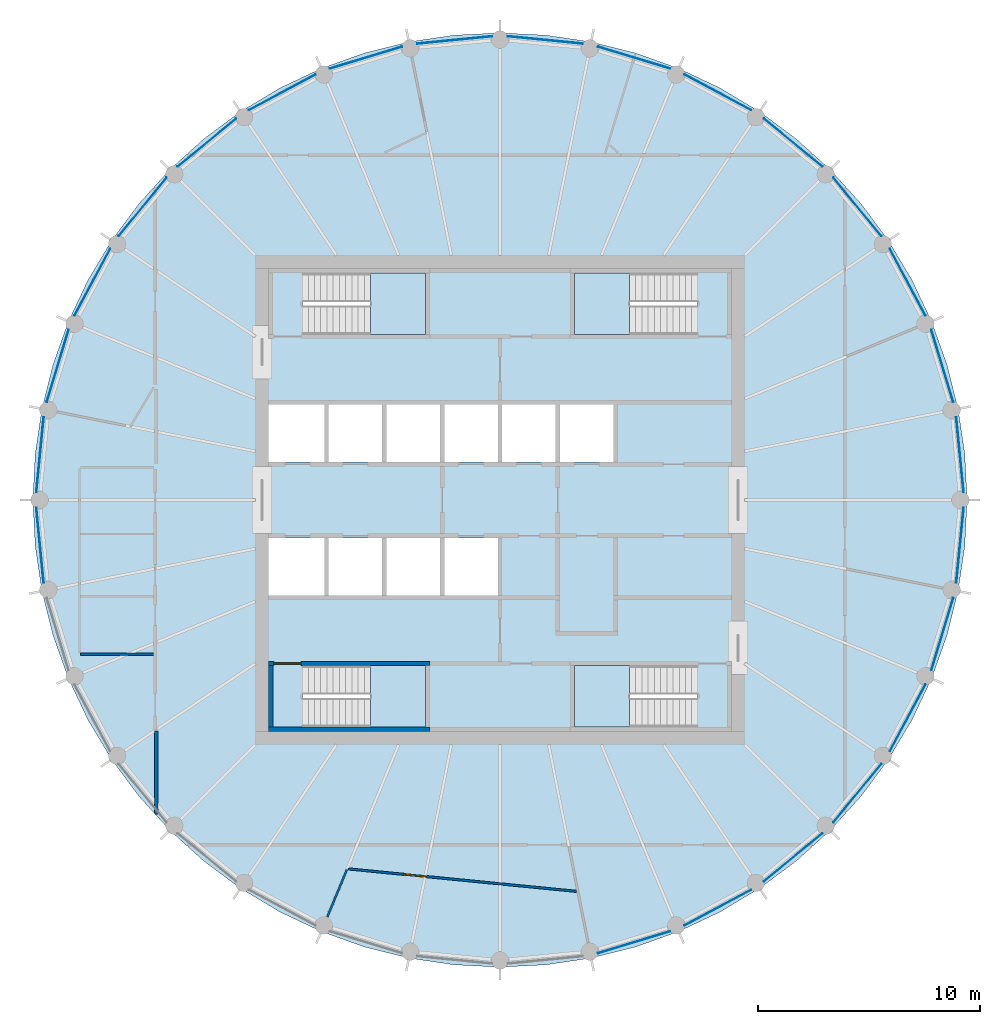
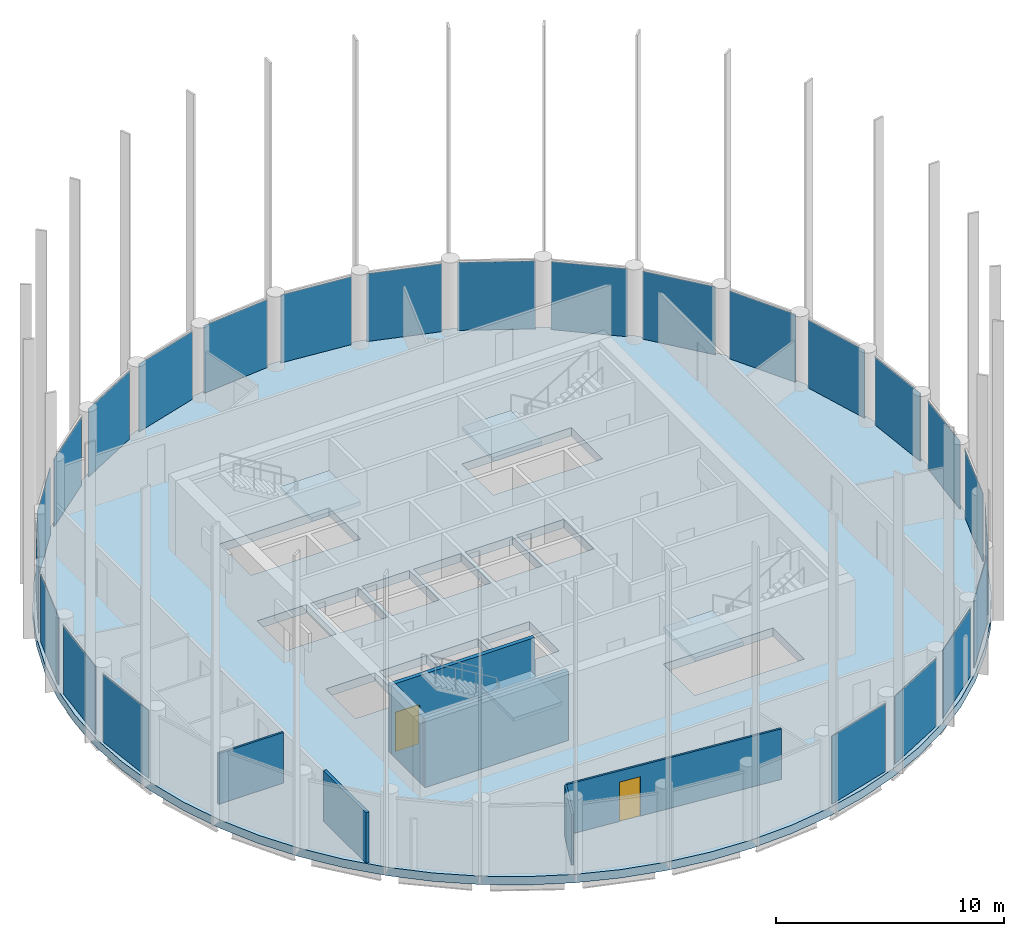
# One storey, part 3 of 7: 24 plates, 7 walls, 5 slabs, 2 doors, 2 openings, 28 elements without a shape of their own.
"""IFC4 building model written with IfcOpenShell, lengths in metres."""

import ifcopenshell
import ifcopenshell.guid

model = None  # the IFC model being written
_history = None  # IfcOwnerHistory: only IFC2X3 demands one
_inside = {}  # id of a spatial element -> (the spatial element, [elements in it])
_under = {}  # id of a project, library or spatial element -> (it, [spatial elements below it])
_declared = {}  # id of a project -> (the project, [libraries it declares])
_typed = {}  # id of a type object -> (the type object, [elements of that type])
_made_of = {}  # id of a material, layer set ... -> (it, [elements and type objects made of it])


def new_model(schema):
    """Start an empty IFC model of exactly this schema.

    Asked for "IFC4X3", IfcOpenShell would pick the latest addendum, in which some entities
    have other attributes; the version numbers below select the first issue.
    IFC2X3 requires an IfcOwnerHistory on every rooted entity: one is made here for all.
    """
    global model, _history
    if schema == "IFC4X3":
        model = ifcopenshell.file(schema_version=(4, 3, 0, 0))
    else:
        model = ifcopenshell.file(schema=schema)
    _inside.clear()
    _under.clear()
    _declared.clear()
    _typed.clear()
    _made_of.clear()
    _history = None
    if model.schema == "IFC2X3":
        org = make("IfcOrganization", Name="unknown")
        user = make(
            "IfcPersonAndOrganization",
            ThePerson=make("IfcPerson", FamilyName="unknown"),
            TheOrganization=org,
        )
        app = make(
            "IfcApplication",
            ApplicationDeveloper=org,
            Version="unknown",
            ApplicationFullName="unknown",
            ApplicationIdentifier="unknown",
        )
        _history = make(
            "IfcOwnerHistory",
            OwningUser=user,
            OwningApplication=app,
            ChangeAction="ADDED",
            CreationDate=0,
        )
    return model


def make(cls, **values):
    """One entity of the class cls with the attributes given. An attribute that is None is left unset."""
    return model.create_entity(
        cls, **{name: value for name, value in values.items() if value is not None}
    )


def rooted(cls, **values):
    """An entity with a GlobalId (a new one), such as an element, a storey or a relation."""
    return make(cls, GlobalId=ifcopenshell.guid.new(), OwnerHistory=_history, **values)


def si_unit(unit_type, name, prefix=None):
    """IfcSIUnit, for example si_unit("LENGTHUNIT", "METRE", prefix="MILLI")."""
    return make("IfcSIUnit", UnitType=unit_type, Prefix=prefix, Name=name)


def assignment(units):
    """IfcUnitAssignment: the units of a project."""
    return None if units is None else make("IfcUnitAssignment", Units=units)


def point(xyz):
    """IfcCartesianPoint."""
    return None if xyz is None else make("IfcCartesianPoint", Coordinates=xyz)


def direction(xyz):
    """IfcDirection."""
    return None if xyz is None else make("IfcDirection", DirectionRatios=xyz)


def frame(location, z_axis=None, x_axis=None):
    """IfcAxis2Placement3D, a coordinate frame: its origin and axes. An axis left out is left unset."""
    return make(
        "IfcAxis2Placement3D",
        Location=point(location),
        Axis=direction(z_axis),
        RefDirection=direction(x_axis),
    )


def frame_2d(location, x_axis=None):
    """IfcAxis2Placement2D, a coordinate frame in the plane: its origin and x axis."""
    return make(
        "IfcAxis2Placement2D", Location=point(location), RefDirection=direction(x_axis)
    )


def origin():
    """The frame at (0, 0, 0) with its axes left unset."""
    return frame((0.0, 0.0, 0.0))


def origin_2d():
    """The frame at (0, 0) in the plane with its x axis left unset."""
    return frame_2d((0.0, 0.0))


def place(relative_to, where):
    """IfcLocalPlacement: puts the frame where relative to a parent placement (None: the world)."""
    return make(
        "IfcLocalPlacement", PlacementRelTo=relative_to, RelativePlacement=where
    )


def context(
    kind, dimensions, precision=None, world=None, true_north=None, identifier=None
):
    """IfcGeometricRepresentationContext, for example the 3D "Model" context."""
    return make(
        "IfcGeometricRepresentationContext",
        ContextIdentifier=identifier,
        ContextType=kind,
        CoordinateSpaceDimension=dimensions,
        Precision=precision,
        WorldCoordinateSystem=world,
        TrueNorth=true_north,
    )


def subcontext(parent, identifier, kind, view, scale=None):
    """IfcGeometricRepresentationSubContext, for example "Body" below "Model"."""
    return make(
        "IfcGeometricRepresentationSubContext",
        ContextIdentifier=identifier,
        ContextType=kind,
        ParentContext=parent,
        TargetScale=scale,
        TargetView=view,
    )


def project(units=None, contexts=None):
    """IfcProject with its units and contexts."""
    return rooted(
        "IfcProject",
        Name="project",
        RepresentationContexts=contexts,
        UnitsInContext=assignment(units),
    )


def spatial(cls, under=None, at=None, **own):
    """A site, building, storey or space (cls), placed at a placement, below another one or the project."""
    s = rooted(cls, ObjectPlacement=at, **own)
    if under is not None:
        _under.setdefault(under.id(), (under, []))[1].append(s)
    return s


def polyline(points):
    """IfcPolyline through the points."""
    return make("IfcPolyline", Points=[point(p) for p in points])


def profile(cls, at=None, kind="AREA", **sizes):
    """A parametric profile (cls). Its sizes go by their IFC names, for example OverallWidth=200.0."""
    return make(cls, ProfileType=kind, Position=at, **sizes)


def rectangle(**sizes):
    """IfcRectangleProfileDef."""
    return profile("IfcRectangleProfileDef", **sizes)


def outline(outer, holes=None, kind="AREA"):
    """IfcArbitraryClosedProfileDef: a profile drawn as a closed curve; with holes, ...WithVoids."""
    if holes is None:
        return make("IfcArbitraryClosedProfileDef", ProfileType=kind, OuterCurve=outer)
    return make(
        "IfcArbitraryProfileDefWithVoids",
        ProfileType=kind,
        OuterCurve=outer,
        InnerCurves=holes,
    )


def extrude(swept, where, along, depth):
    """IfcExtrudedAreaSolid: the profile swept, set in the frame where, extruded along a direction by depth."""
    return make(
        "IfcExtrudedAreaSolid",
        SweptArea=swept,
        Position=where,
        ExtrudedDirection=direction(along),
        Depth=depth,
    )


def shape(context_of_items, identifier, shape_type, items):
    """IfcShapeRepresentation: the items that make up one representation, for example the "Body"."""
    return make(
        "IfcShapeRepresentation",
        ContextOfItems=context_of_items,
        RepresentationIdentifier=identifier,
        RepresentationType=shape_type,
        Items=items,
    )


def material(Name=None, Category=None):
    """IfcMaterial."""
    return make("IfcMaterial", Name=Name, Category=Category)


def layer(
    of_material, thickness, ventilated=None, Name=None, Category=None, Priority=None
):
    """IfcMaterialLayer: one layer of a wall or slab, of a material (None: an air gap)."""
    return make(
        "IfcMaterialLayer",
        Material=of_material,
        LayerThickness=thickness,
        IsVentilated=ventilated,
        Name=Name,
        Category=Category,
        Priority=Priority,
    )


def layer_set(layers, Name=None):
    """IfcMaterialLayerSet."""
    return make("IfcMaterialLayerSet", MaterialLayers=layers, LayerSetName=Name)


def made_of(thing, what):
    """Note that an element or type object is made of a material, layer set ...; save() writes the relation."""
    if what is not None:
        _made_of.setdefault(what.id(), (what, []))[1].append(thing)
    return thing


def type_object(cls, material=None, **own):
    """A type object (cls), such as IfcWallType, which elements share."""
    return made_of(rooted(cls, **own), material)


def element(
    cls,
    number,
    at=None,
    inside=None,
    cuts=None,
    type_object=None,
    material=None,
    context=None,
    identifier="Body",
    shape_type=None,
    held_by="IfcProductDefinitionShape",
    body=None,
    shapes=None,
    **own,
):
    """One element of the class cls, such as IfcWall. Its Tag is "e" and its number.

    at: its placement. inside: the storey or other place that contains it. cuts: it is an
    opening in that element (IfcRelVoidsElement). A single representation is given by context,
    identifier, shape_type and body (its items); several are given by shapes. held_by: the class
    of the entity that holds the representations. save() writes the other relations.
    """
    e = rooted(cls, Tag="e%d" % number, ObjectPlacement=at, **own)
    if body is not None:
        shapes = [shape(context, identifier, shape_type, body)]
    if shapes is not None:
        e.Representation = make(held_by, Representations=shapes)
    if inside is not None:
        _inside.setdefault(inside.id(), (inside, []))[1].append(e)
    if cuts is not None:
        rooted(
            "IfcRelVoidsElement", RelatingBuildingElement=cuts, RelatedOpeningElement=e
        )
    if type_object is not None:
        _typed.setdefault(type_object.id(), (type_object, []))[1].append(e)
    return made_of(e, material)


def fill(opening, filler):
    """IfcRelFillsElement: the door or window that sits in an opening."""
    return rooted(
        "IfcRelFillsElement",
        RelatingOpeningElement=opening,
        RelatedBuildingElement=filler,
    )


def aggregate(whole, parts):
    """IfcRelAggregates: a whole, such as a stair, and the parts it consists of."""
    return rooted("IfcRelAggregates", RelatingObject=whole, RelatedObjects=parts)


def save(model, path):
    """Write the relations noted so far, then the file.

    IfcRelAggregates (storeys below a building ...), IfcRelContainedInSpatialStructure (elements
    in a storey), IfcRelDefinesByType, IfcRelAssociatesMaterial and IfcRelDeclares: one each for
    every whole, place, type object, material and project.
    """
    for whole, parts in _under.values():
        aggregate(whole, parts)
    for where, things in _inside.values():
        rooted(
            "IfcRelContainedInSpatialStructure",
            RelatedElements=things,
            RelatingStructure=where,
        )
    for kind, things in _typed.values():
        rooted("IfcRelDefinesByType", RelatedObjects=things, RelatingType=kind)
    for what, things in _made_of.values():
        rooted("IfcRelAssociatesMaterial", RelatedObjects=things, RelatingMaterial=what)
    for by, libraries in _declared.values():
        rooted("IfcRelDeclares", RelatingContext=by, RelatedDefinitions=libraries)
    model.write(path)


model = new_model("IFC4")

# Units and contexts
model_context = context("Model", 3, precision=1e-05, world=origin(), true_north=direction((0.0, 1.0)))
body_context = subcontext(model_context, "Body", "Model", "MODEL_VIEW")
ifc_project = project(units=[si_unit("LENGTHUNIT", "METRE"), si_unit("AREAUNIT", "SQUARE_METRE"), si_unit("VOLUMEUNIT", "CUBIC_METRE"), si_unit("PLANEANGLEUNIT", "RADIAN"), si_unit("MASSUNIT", "GRAM", prefix="KILO")], contexts=[model_context])

# Site, building, storey
site_placement = place(None, origin())
site = spatial("IfcSite", under=ifc_project, at=site_placement, CompositionType="ELEMENT")
building_placement = place(site_placement, origin())
building = spatial("IfcBuilding", under=site, at=building_placement, Name="Corvane Civic Tower", CompositionType="ELEMENT")
storey_placement = place(building_placement, frame((0.0, 0.0, 324.5)))
storey = spatial("IfcBuildingStorey", under=building, at=storey_placement, Name="L77", CompositionType="ELEMENT", Elevation=324.5)

# Stair, slab
ifc_material_1 = material(Name="Concrete C40/50", Category="concrete")
stair_type = type_object("IfcStairType", Name="ST-STAIR-HALFTURN", PredefinedType="HALF_TURN_STAIR", material=ifc_material_1)
stair_1_placement = place(storey_placement, origin())
stair_1 = element("IfcStair", 1, at=stair_1_placement, inside=storey, type_object=stair_type, Name="L77 Exit stair ST1", PredefinedType="HALF_TURN_STAIR")
ifc_material_2 = material(Name="Concrete C40/50", Category="concrete")
ifc_layer_1 = layer(ifc_material_2, 0.199951171875)
ifc_layer_set_1 = layer_set([ifc_layer_1], Name="Concrete C40/50")
slab_type_1 = type_object("IfcSlabType", Name="ST-LANDING-RC", PredefinedType="LANDING", material=ifc_layer_set_1)
slab_1_placement = place(storey_placement, frame((0.0, 0.0, 1.800048828125)))
slab_1 = element("IfcSlab", 2, at=slab_1_placement, type_object=slab_type_1, Name="ST1 landing 1", PredefinedType="LANDING", context=body_context, shape_type="SweptSolid", body=[
    extrude(outline(polyline([(5.820068359375, 10.199951171875), (3.35009765625, 10.199951171875), (3.35009765625, 7.449951171875), (5.820068359375, 7.449951171875), (5.820068359375, 10.199951171875)])), origin(), (0.0, 0.0, 1.0), 0.199951171875),
])
aggregate(stair_1, [slab_1])

stair_2_placement = place(storey_placement, origin())
stair_2 = element("IfcStair", 3, at=stair_2_placement, inside=storey, type_object=stair_type, Name="L77 Exit stair ST2", PredefinedType="HALF_TURN_STAIR")
slab_2_placement = place(storey_placement, frame((0.0, 0.0, 1.800048828125)))
slab_2 = element("IfcSlab", 4, at=slab_2_placement, type_object=slab_type_1, Name="ST2 landing 1", PredefinedType="LANDING", context=body_context, shape_type="SweptSolid", body=[
    extrude(outline(polyline([(5.820068359375, -7.449951171875), (3.35009765625, -7.449951171875), (3.35009765625, -10.199951171875), (5.820068359375, -10.199951171875), (5.820068359375, -7.449951171875)])), origin(), (0.0, 0.0, 1.0), 0.199951171875),
])
aggregate(stair_2, [slab_2])

stair_3_placement = place(storey_placement, origin())
stair_3 = element("IfcStair", 5, at=stair_3_placement, inside=storey, type_object=stair_type, Name="L77 Exit stair ST3", PredefinedType="HALF_TURN_STAIR")
slab_3_placement = place(storey_placement, frame((0.0, 0.0, 1.800048828125)))
slab_3 = element("IfcSlab", 6, at=slab_3_placement, type_object=slab_type_1, Name="ST3 landing 1", PredefinedType="LANDING", context=body_context, shape_type="SweptSolid", body=[
    extrude(outline(polyline([(-5.820068359375, -10.199951171875), (-3.35009765625, -10.199951171875), (-3.35009765625, -7.449951171875), (-5.820068359375, -7.449951171875), (-5.820068359375, -10.199951171875)])), origin(), (0.0, 0.0, 1.0), 0.199951171875),
])
aggregate(stair_3, [slab_3])

stair_4_placement = place(storey_placement, origin())
stair_4 = element("IfcStair", 7, at=stair_4_placement, inside=storey, type_object=stair_type, Name="L77 Exit stair ST4", PredefinedType="HALF_TURN_STAIR")
slab_4_placement = place(storey_placement, frame((0.0, 0.0, 1.800048828125)))
slab_4 = element("IfcSlab", 8, at=slab_4_placement, type_object=slab_type_1, Name="ST4 landing 1", PredefinedType="LANDING", context=body_context, shape_type="SweptSolid", body=[
    extrude(outline(polyline([(-5.820068359375, 7.449951171875), (-3.35009765625, 7.449951171875), (-3.35009765625, 10.199951171875), (-5.820068359375, 10.199951171875), (-5.820068359375, 7.449951171875)])), origin(), (0.0, 0.0, 1.0), 0.199951171875),
])
aggregate(stair_4, [slab_4])

# Curtain wall, plate
ifc_material_3 = material(Name="Anodised aluminium bronze", Category="aluminium")
curtain_wall_type = type_object("IfcCurtainWallType", Name="TOWER CW-T3 STICK CURTAIN WALL", PredefinedType="NOTDEFINED", material=ifc_material_3)
curtain_wall_1_placement = place(storey_placement, origin())
curtain_wall_1 = element("IfcCurtainWall", 9, at=curtain_wall_1_placement, inside=storey, type_object=curtain_wall_type, Name="Curtain wall CW-T3 L77 bay 01", PredefinedType="NOTDEFINED")
ifc_material_4 = material(Name="Tinted glass", Category="glass")
ifc_layer_2 = layer(ifc_material_4, 0.028076171875)
ifc_layer_set_2 = layer_set([ifc_layer_2], Name="Tinted glass")
plate_type = type_object("IfcPlateType", Name="TOWER CW-T3 PANEL IGU28", PredefinedType="CURTAIN_PANEL", material=ifc_layer_set_2)
plate_1_placement = place(storey_placement, frame((2.03662109375, 20.679443359375, 0.0), z_axis=(0.0, 0.0, 1.0), x_axis=(0.995186641028, -0.097997701601, 0.0)))
plate_1 = element("IfcPlate", 10, at=plate_1_placement, type_object=plate_type, Name="Glass panel CW-T3 L77 01.1", PredefinedType="CURTAIN_PANEL", context=body_context, shape_type="SweptSolid", body=[
    extrude(rectangle(XDim=3.402587890625, YDim=0.028076171875, at=origin_2d()), origin(), (0.0, 0.0, 1.0), 3.6298828125),
])
aggregate(curtain_wall_1, [plate_1])

curtain_wall_2_placement = place(storey_placement, origin())
curtain_wall_2 = element("IfcCurtainWall", 11, at=curtain_wall_2_placement, inside=storey, type_object=curtain_wall_type, Name="Curtain wall CW-T3 L77 bay 02", PredefinedType="NOTDEFINED")
plate_2_placement = place(storey_placement, frame((6.031982421875, 19.884765625, 0.0), z_axis=(0.0, 0.0, 1.0), x_axis=(0.956938582641, -0.290290456359, 0.0)))
plate_2 = element("IfcPlate", 12, at=plate_2_placement, type_object=plate_type, Name="Glass panel CW-T3 L77 02.1", PredefinedType="CURTAIN_PANEL", context=body_context, shape_type="SweptSolid", body=[
    extrude(rectangle(XDim=3.40283203125, YDim=0.028076171875, at=origin_2d()), origin(), (0.0, 0.0, 1.0), 3.6298828125),
])
aggregate(curtain_wall_2, [plate_2])

curtain_wall_3_placement = place(storey_placement, origin())
curtain_wall_3 = element("IfcCurtainWall", 13, at=curtain_wall_3_placement, inside=storey, type_object=curtain_wall_type, Name="Curtain wall CW-T3 L77 bay 03", PredefinedType="NOTDEFINED")
plate_3_placement = place(storey_placement, frame((9.79541015625, 18.325927734375, 0.0), z_axis=(0.0, 0.0, 1.0), x_axis=(0.88192824848, -0.471383670202, 0.0)))
plate_3 = element("IfcPlate", 14, at=plate_3_placement, type_object=plate_type, Name="Glass panel CW-T3 L77 03.1", PredefinedType="CURTAIN_PANEL", context=body_context, shape_type="SweptSolid", body=[
    extrude(rectangle(XDim=3.40234375, YDim=0.028076171875, at=origin_2d()), origin(), (0.0, 0.0, 1.0), 3.6298828125),
])
aggregate(curtain_wall_3, [plate_3])

curtain_wall_4_placement = place(storey_placement, origin())
curtain_wall_4 = element("IfcCurtainWall", 15, at=curtain_wall_4_placement, inside=storey, type_object=curtain_wall_type, Name="Curtain wall CW-T3 L77 bay 04", PredefinedType="NOTDEFINED")
plate_4_placement = place(storey_placement, frame((13.182373046875, 16.062744140625, 0.0), z_axis=(0.0, 0.0, 1.0), x_axis=(0.773010369391, -0.634393386484, 0.0)))
plate_4 = element("IfcPlate", 16, at=plate_4_placement, type_object=plate_type, Name="Glass panel CW-T3 L77 04.1", PredefinedType="CURTAIN_PANEL", context=body_context, shape_type="SweptSolid", body=[
    extrude(rectangle(XDim=3.402587890625, YDim=0.028076171875, at=origin_2d()), origin(), (0.0, 0.0, 1.0), 3.6298828125),
])
aggregate(curtain_wall_4, [plate_4])

curtain_wall_5_placement = place(storey_placement, origin())
curtain_wall_5 = element("IfcCurtainWall", 17, at=curtain_wall_5_placement, inside=storey, type_object=curtain_wall_type, Name="Curtain wall CW-T3 L77 bay 05", PredefinedType="NOTDEFINED")
plate_5_placement = place(storey_placement, frame((16.062744140625, 13.182373046875, 0.0), z_axis=(0.0, 0.0, 1.0), x_axis=(0.634393386484, -0.773010369391, 0.0)))
plate_5 = element("IfcPlate", 18, at=plate_5_placement, type_object=plate_type, Name="Glass panel CW-T3 L77 05.1", PredefinedType="CURTAIN_PANEL", context=body_context, shape_type="SweptSolid", body=[
    extrude(rectangle(XDim=3.402587890625, YDim=0.028076171875, at=origin_2d()), origin(), (0.0, 0.0, 1.0), 3.6298828125),
])
aggregate(curtain_wall_5, [plate_5])

curtain_wall_6_placement = place(storey_placement, origin())
curtain_wall_6 = element("IfcCurtainWall", 19, at=curtain_wall_6_placement, inside=storey, type_object=curtain_wall_type, Name="Curtain wall CW-T3 L77 bay 06", PredefinedType="NOTDEFINED")
plate_6_placement = place(storey_placement, frame((18.325927734375, 9.79541015625, 0.0), z_axis=(0.0, 0.0, 1.0), x_axis=(0.471383670202, -0.88192824848, 0.0)))
plate_6 = element("IfcPlate", 20, at=plate_6_placement, type_object=plate_type, Name="Glass panel CW-T3 L77 06.1", PredefinedType="CURTAIN_PANEL", context=body_context, shape_type="SweptSolid", body=[
    extrude(rectangle(XDim=3.40234375, YDim=0.028076171875, at=origin_2d()), origin(), (0.0, 0.0, 1.0), 3.6298828125),
])
aggregate(curtain_wall_6, [plate_6])

curtain_wall_7_placement = place(storey_placement, origin())
curtain_wall_7 = element("IfcCurtainWall", 21, at=curtain_wall_7_placement, inside=storey, type_object=curtain_wall_type, Name="Curtain wall CW-T3 L77 bay 07", PredefinedType="NOTDEFINED")
plate_7_placement = place(storey_placement, frame((19.884765625, 6.031982421875, 0.0), z_axis=(0.0, 0.0, 1.0), x_axis=(0.290290456359, -0.956938582641, 0.0)))
plate_7 = element("IfcPlate", 22, at=plate_7_placement, type_object=plate_type, Name="Glass panel CW-T3 L77 07.1", PredefinedType="CURTAIN_PANEL", context=body_context, shape_type="SweptSolid", body=[
    extrude(rectangle(XDim=3.40283203125, YDim=0.028076171875, at=origin_2d()), origin(), (0.0, 0.0, 1.0), 3.6298828125),
])
aggregate(curtain_wall_7, [plate_7])

curtain_wall_8_placement = place(storey_placement, origin())
curtain_wall_8 = element("IfcCurtainWall", 23, at=curtain_wall_8_placement, inside=storey, type_object=curtain_wall_type, Name="Curtain wall CW-T3 L77 bay 08", PredefinedType="NOTDEFINED")
plate_8_placement = place(storey_placement, frame((20.679443359375, 2.03662109375, 0.0), z_axis=(0.0, 0.0, 1.0), x_axis=(0.097997701601, -0.995186641028, 0.0)))
plate_8 = element("IfcPlate", 24, at=plate_8_placement, type_object=plate_type, Name="Glass panel CW-T3 L77 08.1", PredefinedType="CURTAIN_PANEL", context=body_context, shape_type="SweptSolid", body=[
    extrude(rectangle(XDim=3.402587890625, YDim=0.028076171875, at=origin_2d()), origin(), (0.0, 0.0, 1.0), 3.6298828125),
])
aggregate(curtain_wall_8, [plate_8])

curtain_wall_9_placement = place(storey_placement, origin())
curtain_wall_9 = element("IfcCurtainWall", 25, at=curtain_wall_9_placement, inside=storey, type_object=curtain_wall_type, Name="Curtain wall CW-T3 L77 bay 09", PredefinedType="NOTDEFINED")
plate_9_placement = place(storey_placement, frame((20.679443359375, -2.03662109375, 0.0), z_axis=(0.0, 0.0, 1.0), x_axis=(-0.097997701601, -0.995186641028, 0.0)))
plate_9 = element("IfcPlate", 26, at=plate_9_placement, type_object=plate_type, Name="Glass panel CW-T3 L77 09.1", PredefinedType="CURTAIN_PANEL", context=body_context, shape_type="SweptSolid", body=[
    extrude(rectangle(XDim=3.402587890625, YDim=0.028076171875, at=origin_2d()), origin(), (0.0, 0.0, 1.0), 3.6298828125),
])
aggregate(curtain_wall_9, [plate_9])

curtain_wall_10_placement = place(storey_placement, origin())
curtain_wall_10 = element("IfcCurtainWall", 27, at=curtain_wall_10_placement, inside=storey, type_object=curtain_wall_type, Name="Curtain wall CW-T3 L77 bay 10", PredefinedType="NOTDEFINED")
plate_10_placement = place(storey_placement, frame((19.884765625, -6.031982421875, 0.0), z_axis=(0.0, 0.0, 1.0), x_axis=(-0.290290456359, -0.956938582641, 0.0)))
plate_10 = element("IfcPlate", 28, at=plate_10_placement, type_object=plate_type, Name="Glass panel CW-T3 L77 10.1", PredefinedType="CURTAIN_PANEL", context=body_context, shape_type="SweptSolid", body=[
    extrude(rectangle(XDim=3.40283203125, YDim=0.028076171875, at=origin_2d()), origin(), (0.0, 0.0, 1.0), 3.6298828125),
])
aggregate(curtain_wall_10, [plate_10])

curtain_wall_11_placement = place(storey_placement, origin())
curtain_wall_11 = element("IfcCurtainWall", 29, at=curtain_wall_11_placement, inside=storey, type_object=curtain_wall_type, Name="Curtain wall CW-T3 L77 bay 11", PredefinedType="NOTDEFINED")
plate_11_placement = place(storey_placement, frame((18.325927734375, -9.79541015625, 0.0), z_axis=(0.0, 0.0, 1.0), x_axis=(-0.471383670202, -0.88192824848, 0.0)))
plate_11 = element("IfcPlate", 30, at=plate_11_placement, type_object=plate_type, Name="Glass panel CW-T3 L77 11.1", PredefinedType="CURTAIN_PANEL", context=body_context, shape_type="SweptSolid", body=[
    extrude(rectangle(XDim=3.40234375, YDim=0.028076171875, at=origin_2d()), origin(), (0.0, 0.0, 1.0), 3.6298828125),
])
aggregate(curtain_wall_11, [plate_11])

curtain_wall_12_placement = place(storey_placement, origin())
curtain_wall_12 = element("IfcCurtainWall", 31, at=curtain_wall_12_placement, inside=storey, type_object=curtain_wall_type, Name="Curtain wall CW-T3 L77 bay 12", PredefinedType="NOTDEFINED")
plate_12_placement = place(storey_placement, frame((16.062744140625, -13.182373046875, 0.0), z_axis=(0.0, 0.0, 1.0), x_axis=(-0.634393386484, -0.773010369391, 0.0)))
plate_12 = element("IfcPlate", 32, at=plate_12_placement, type_object=plate_type, Name="Glass panel CW-T3 L77 12.1", PredefinedType="CURTAIN_PANEL", context=body_context, shape_type="SweptSolid", body=[
    extrude(rectangle(XDim=3.402587890625, YDim=0.028076171875, at=origin_2d()), origin(), (0.0, 0.0, 1.0), 3.6298828125),
])
aggregate(curtain_wall_12, [plate_12])

curtain_wall_13_placement = place(storey_placement, origin())
curtain_wall_13 = element("IfcCurtainWall", 33, at=curtain_wall_13_placement, inside=storey, type_object=curtain_wall_type, Name="Curtain wall CW-T3 L77 bay 13", PredefinedType="NOTDEFINED")
plate_13_placement = place(storey_placement, frame((13.182373046875, -16.062744140625, 0.0), z_axis=(0.0, 0.0, 1.0), x_axis=(-0.773010369391, -0.634393386484, 0.0)))
plate_13 = element("IfcPlate", 34, at=plate_13_placement, type_object=plate_type, Name="Glass panel CW-T3 L77 13.1", PredefinedType="CURTAIN_PANEL", context=body_context, shape_type="SweptSolid", body=[
    extrude(rectangle(XDim=3.402587890625, YDim=0.028076171875, at=origin_2d()), origin(), (0.0, 0.0, 1.0), 3.6298828125),
])
aggregate(curtain_wall_13, [plate_13])

curtain_wall_14_placement = place(storey_placement, origin())
curtain_wall_14 = element("IfcCurtainWall", 35, at=curtain_wall_14_placement, inside=storey, type_object=curtain_wall_type, Name="Curtain wall CW-T3 L77 bay 14", PredefinedType="NOTDEFINED")
plate_14_placement = place(storey_placement, frame((9.79541015625, -18.325927734375, 0.0), z_axis=(0.0, 0.0, 1.0), x_axis=(-0.88192824848, -0.471383670202, 0.0)))
plate_14 = element("IfcPlate", 36, at=plate_14_placement, type_object=plate_type, Name="Glass panel CW-T3 L77 14.1", PredefinedType="CURTAIN_PANEL", context=body_context, shape_type="SweptSolid", body=[
    extrude(rectangle(XDim=3.40234375, YDim=0.028076171875, at=origin_2d()), origin(), (0.0, 0.0, 1.0), 3.6298828125),
])
aggregate(curtain_wall_14, [plate_14])

curtain_wall_15_placement = place(storey_placement, origin())
curtain_wall_15 = element("IfcCurtainWall", 37, at=curtain_wall_15_placement, inside=storey, type_object=curtain_wall_type, Name="Curtain wall CW-T3 L77 bay 15", PredefinedType="NOTDEFINED")
plate_15_placement = place(storey_placement, frame((6.031982421875, -19.884765625, 0.0), z_axis=(0.0, 0.0, 1.0), x_axis=(-0.956938582641, -0.290290456359, 0.0)))
plate_15 = element("IfcPlate", 38, at=plate_15_placement, type_object=plate_type, Name="Glass panel CW-T3 L77 15.1", PredefinedType="CURTAIN_PANEL", context=body_context, shape_type="SweptSolid", body=[
    extrude(rectangle(XDim=3.40283203125, YDim=0.028076171875, at=origin_2d()), origin(), (0.0, 0.0, 1.0), 3.6298828125),
])
aggregate(curtain_wall_15, [plate_15])

curtain_wall_16_placement = place(storey_placement, origin())
curtain_wall_16 = element("IfcCurtainWall", 39, at=curtain_wall_16_placement, inside=storey, type_object=curtain_wall_type, Name="Curtain wall CW-T3 L77 bay 24", PredefinedType="NOTDEFINED")
plate_16_placement = place(storey_placement, frame((-20.679443359375, -2.03662109375, 0.0), z_axis=(0.0, 0.0, 1.0), x_axis=(-0.097997701601, 0.995186641028, 0.0)))
plate_16 = element("IfcPlate", 40, at=plate_16_placement, type_object=plate_type, Name="Glass panel CW-T3 L77 24.1", PredefinedType="CURTAIN_PANEL", context=body_context, shape_type="SweptSolid", body=[
    extrude(rectangle(XDim=3.402587890625, YDim=0.028076171875, at=origin_2d()), origin(), (0.0, 0.0, 1.0), 3.6298828125),
])
aggregate(curtain_wall_16, [plate_16])

curtain_wall_17_placement = place(storey_placement, origin())
curtain_wall_17 = element("IfcCurtainWall", 41, at=curtain_wall_17_placement, inside=storey, type_object=curtain_wall_type, Name="Curtain wall CW-T3 L77 bay 25", PredefinedType="NOTDEFINED")
plate_17_placement = place(storey_placement, frame((-20.679443359375, 2.03662109375, 0.0), z_axis=(0.0, 0.0, 1.0), x_axis=(0.097997701601, 0.995186641028, 0.0)))
plate_17 = element("IfcPlate", 42, at=plate_17_placement, type_object=plate_type, Name="Glass panel CW-T3 L77 25.1", PredefinedType="CURTAIN_PANEL", context=body_context, shape_type="SweptSolid", body=[
    extrude(rectangle(XDim=3.402587890625, YDim=0.028076171875, at=origin_2d()), origin(), (0.0, 0.0, 1.0), 3.6298828125),
])
aggregate(curtain_wall_17, [plate_17])

curtain_wall_18_placement = place(storey_placement, origin())
curtain_wall_18 = element("IfcCurtainWall", 43, at=curtain_wall_18_placement, inside=storey, type_object=curtain_wall_type, Name="Curtain wall CW-T3 L77 bay 26", PredefinedType="NOTDEFINED")
plate_18_placement = place(storey_placement, frame((-19.884765625, 6.031982421875, 0.0), z_axis=(0.0, 0.0, 1.0), x_axis=(0.290290456359, 0.956938582641, 0.0)))
plate_18 = element("IfcPlate", 44, at=plate_18_placement, type_object=plate_type, Name="Glass panel CW-T3 L77 26.1", PredefinedType="CURTAIN_PANEL", context=body_context, shape_type="SweptSolid", body=[
    extrude(rectangle(XDim=3.40283203125, YDim=0.028076171875, at=origin_2d()), origin(), (0.0, 0.0, 1.0), 3.6298828125),
])
aggregate(curtain_wall_18, [plate_18])

curtain_wall_19_placement = place(storey_placement, origin())
curtain_wall_19 = element("IfcCurtainWall", 45, at=curtain_wall_19_placement, inside=storey, type_object=curtain_wall_type, Name="Curtain wall CW-T3 L77 bay 27", PredefinedType="NOTDEFINED")
plate_19_placement = place(storey_placement, frame((-18.325927734375, 9.79541015625, 0.0), z_axis=(0.0, 0.0, 1.0), x_axis=(0.471383670202, 0.88192824848, 0.0)))
plate_19 = element("IfcPlate", 46, at=plate_19_placement, type_object=plate_type, Name="Glass panel CW-T3 L77 27.1", PredefinedType="CURTAIN_PANEL", context=body_context, shape_type="SweptSolid", body=[
    extrude(rectangle(XDim=3.40234375, YDim=0.028076171875, at=origin_2d()), origin(), (0.0, 0.0, 1.0), 3.6298828125),
])
aggregate(curtain_wall_19, [plate_19])

curtain_wall_20_placement = place(storey_placement, origin())
curtain_wall_20 = element("IfcCurtainWall", 47, at=curtain_wall_20_placement, inside=storey, type_object=curtain_wall_type, Name="Curtain wall CW-T3 L77 bay 28", PredefinedType="NOTDEFINED")
plate_20_placement = place(storey_placement, frame((-16.062744140625, 13.182373046875, 0.0), z_axis=(0.0, 0.0, 1.0), x_axis=(0.634393386484, 0.773010369391, 0.0)))
plate_20 = element("IfcPlate", 48, at=plate_20_placement, type_object=plate_type, Name="Glass panel CW-T3 L77 28.1", PredefinedType="CURTAIN_PANEL", context=body_context, shape_type="SweptSolid", body=[
    extrude(rectangle(XDim=3.402587890625, YDim=0.028076171875, at=origin_2d()), origin(), (0.0, 0.0, 1.0), 3.6298828125),
])
aggregate(curtain_wall_20, [plate_20])

curtain_wall_21_placement = place(storey_placement, origin())
curtain_wall_21 = element("IfcCurtainWall", 49, at=curtain_wall_21_placement, inside=storey, type_object=curtain_wall_type, Name="Curtain wall CW-T3 L77 bay 29", PredefinedType="NOTDEFINED")
plate_21_placement = place(storey_placement, frame((-13.182373046875, 16.062744140625, 0.0), z_axis=(0.0, 0.0, 1.0), x_axis=(0.773010369391, 0.634393386484, 0.0)))
plate_21 = element("IfcPlate", 50, at=plate_21_placement, type_object=plate_type, Name="Glass panel CW-T3 L77 29.1", PredefinedType="CURTAIN_PANEL", context=body_context, shape_type="SweptSolid", body=[
    extrude(rectangle(XDim=3.402587890625, YDim=0.028076171875, at=origin_2d()), origin(), (0.0, 0.0, 1.0), 3.6298828125),
])
aggregate(curtain_wall_21, [plate_21])

curtain_wall_22_placement = place(storey_placement, origin())
curtain_wall_22 = element("IfcCurtainWall", 51, at=curtain_wall_22_placement, inside=storey, type_object=curtain_wall_type, Name="Curtain wall CW-T3 L77 bay 30", PredefinedType="NOTDEFINED")
plate_22_placement = place(storey_placement, frame((-9.79541015625, 18.325927734375, 0.0), z_axis=(0.0, 0.0, 1.0), x_axis=(0.88192824848, 0.471383670202, 0.0)))
plate_22 = element("IfcPlate", 52, at=plate_22_placement, type_object=plate_type, Name="Glass panel CW-T3 L77 30.1", PredefinedType="CURTAIN_PANEL", context=body_context, shape_type="SweptSolid", body=[
    extrude(rectangle(XDim=3.40234375, YDim=0.028076171875, at=origin_2d()), origin(), (0.0, 0.0, 1.0), 3.6298828125),
])
aggregate(curtain_wall_22, [plate_22])

curtain_wall_23_placement = place(storey_placement, origin())
curtain_wall_23 = element("IfcCurtainWall", 53, at=curtain_wall_23_placement, inside=storey, type_object=curtain_wall_type, Name="Curtain wall CW-T3 L77 bay 31", PredefinedType="NOTDEFINED")
plate_23_placement = place(storey_placement, frame((-6.031982421875, 19.884765625, 0.0), z_axis=(0.0, 0.0, 1.0), x_axis=(0.956938582641, 0.290290456359, 0.0)))
plate_23 = element("IfcPlate", 54, at=plate_23_placement, type_object=plate_type, Name="Glass panel CW-T3 L77 31.1", PredefinedType="CURTAIN_PANEL", context=body_context, shape_type="SweptSolid", body=[
    extrude(rectangle(XDim=3.40283203125, YDim=0.028076171875, at=origin_2d()), origin(), (0.0, 0.0, 1.0), 3.6298828125),
])
aggregate(curtain_wall_23, [plate_23])

curtain_wall_24_placement = place(storey_placement, origin())
curtain_wall_24 = element("IfcCurtainWall", 55, at=curtain_wall_24_placement, inside=storey, type_object=curtain_wall_type, Name="Curtain wall CW-T3 L77 bay 32", PredefinedType="NOTDEFINED")
plate_24_placement = place(storey_placement, frame((-2.03662109375, 20.679443359375, 0.0), z_axis=(0.0, 0.0, 1.0), x_axis=(0.995186641028, 0.097997701601, 0.0)))
plate_24 = element("IfcPlate", 56, at=plate_24_placement, type_object=plate_type, Name="Glass panel CW-T3 L77 32.1", PredefinedType="CURTAIN_PANEL", context=body_context, shape_type="SweptSolid", body=[
    extrude(rectangle(XDim=3.402587890625, YDim=0.028076171875, at=origin_2d()), origin(), (0.0, 0.0, 1.0), 3.6298828125),
])
aggregate(curtain_wall_24, [plate_24])

# Slab
ifc_material_5 = material(Name="Concrete C50/60", Category="concrete")
ifc_layer_3 = layer(ifc_material_5, 0.449951171875)
ifc_layer_set_3 = layer_set([ifc_layer_3], Name="Concrete C50/60")
slab_type_2 = type_object("IfcSlabType", Name="TRANSFER FLOOR SLAB 450", PredefinedType="FLOOR", material=ifc_layer_set_3)
slab_5_placement = place(storey_placement, frame((0.0, 0.0, -0.449951171875)))
element("IfcSlab", 57, at=slab_5_placement, inside=storey, type_object=slab_type_2, Name="SLB-L77", PredefinedType="FLOOR", context=body_context, shape_type="SweptSolid", body=[
    extrude(outline(polyline([(0.0, 21.0), (-2.058349609375, 20.89892578125), (-4.096923828125, 20.596435546875), (-6.095947265625, 20.095703125), (-8.036376953125, 19.4013671875), (-9.8994140625, 18.520263671875), (-11.6669921875, 17.4609375), (-13.322265625, 16.233154296875), (-14.84912109375, 14.84912109375), (-16.233154296875, 13.322265625), (-17.4609375, 11.6669921875), (-18.520263671875, 9.8994140625), (-19.4013671875, 8.036376953125), (-20.095703125, 6.095947265625), (-20.596435546875, 4.096923828125), (-20.89892578125, 2.058349609375), (-21.0, 0.0), (-20.89892578125, -2.058349609375), (-20.596435546875, -4.096923828125), (-20.095703125, -6.095947265625), (-19.4013671875, -8.036376953125), (-18.520263671875, -9.8994140625), (-17.4609375, -11.6669921875), (-16.233154296875, -13.322265625), (-14.84912109375, -14.84912109375), (-13.322265625, -16.233154296875), (-11.6669921875, -17.4609375), (-9.8994140625, -18.520263671875), (-8.036376953125, -19.4013671875), (-6.095947265625, -20.095703125), (-4.096923828125, -20.596435546875), (-2.058349609375, -20.89892578125), (0.0, -21.0), (2.058349609375, -20.89892578125), (4.096923828125, -20.596435546875), (6.095947265625, -20.095703125), (8.036376953125, -19.4013671875), (9.8994140625, -18.520263671875), (11.6669921875, -17.4609375), (13.322265625, -16.233154296875), (14.84912109375, -14.84912109375), (16.233154296875, -13.322265625), (17.4609375, -11.6669921875), (18.520263671875, -9.8994140625), (19.4013671875, -8.036376953125), (20.095703125, -6.095947265625), (20.596435546875, -4.096923828125), (20.89892578125, -2.058349609375), (21.0, 0.0), (20.89892578125, 2.058349609375), (20.596435546875, 4.096923828125), (20.095703125, 6.095947265625), (19.4013671875, 8.036376953125), (18.520263671875, 9.8994140625), (17.4609375, 11.6669921875), (16.233154296875, 13.322265625), (14.84912109375, 14.84912109375), (13.322265625, 16.233154296875), (11.6669921875, 17.4609375), (9.8994140625, 18.520263671875), (8.036376953125, 19.4013671875), (6.095947265625, 20.095703125), (4.096923828125, 20.596435546875), (2.058349609375, 20.89892578125), (0.0, 21.0)]), holes=[polyline([(-10.39990234375, 4.300048828125), (-7.89990234375, 4.300048828125), (-7.89990234375, 1.699951171875), (-10.39990234375, 1.699951171875), (-10.39990234375, 4.300048828125)]), polyline([(-7.699951171875, 4.300048828125), (-5.300048828125, 4.300048828125), (-5.300048828125, 1.699951171875), (-7.699951171875, 1.699951171875), (-7.699951171875, 4.300048828125)]), polyline([(-5.10009765625, 4.300048828125), (-2.699951171875, 4.300048828125), (-2.699951171875, 1.699951171875), (-5.10009765625, 1.699951171875), (-5.10009765625, 4.300048828125)]), polyline([(-2.5, 4.300048828125), (-0.10009765625, 4.300048828125), (-0.10009765625, 1.699951171875), (-2.5, 1.699951171875), (-2.5, 4.300048828125)]), polyline([(0.10009765625, 1.699951171875), (0.10009765625, 4.300048828125), (2.5, 4.300048828125), (2.5, 1.699951171875), (0.10009765625, 1.699951171875)]), polyline([(2.699951171875, 1.699951171875), (2.699951171875, 4.300048828125), (5.10009765625, 4.300048828125), (5.10009765625, 1.699951171875), (2.699951171875, 1.699951171875)]), polyline([(-10.39990234375, -1.699951171875), (-7.89990234375, -1.699951171875), (-7.89990234375, -4.300048828125), (-10.39990234375, -4.300048828125), (-10.39990234375, -1.699951171875)]), polyline([(-7.699951171875, -4.300048828125), (-7.699951171875, -1.699951171875), (-5.300048828125, -1.699951171875), (-5.300048828125, -4.300048828125), (-7.699951171875, -4.300048828125)]), polyline([(-5.10009765625, -4.300048828125), (-5.10009765625, -1.699951171875), (-2.699951171875, -1.699951171875), (-2.699951171875, -4.300048828125), (-5.10009765625, -4.300048828125)]), polyline([(-2.5, -4.300048828125), (-2.5, -1.699951171875), (-0.10009765625, -1.699951171875), (-0.10009765625, -4.300048828125), (-2.5, -4.300048828125)]), polyline([(8.889892578125, 10.199951171875), (8.889892578125, 7.449951171875), (3.35009765625, 7.449951171875), (3.35009765625, 10.199951171875), (8.889892578125, 10.199951171875)]), polyline([(-8.889892578125, 7.449951171875), (-8.889892578125, 10.199951171875), (-3.35009765625, 10.199951171875), (-3.35009765625, 7.449951171875), (-8.889892578125, 7.449951171875)]), polyline([(8.889892578125, -7.449951171875), (8.889892578125, -10.199951171875), (3.35009765625, -10.199951171875), (3.35009765625, -7.449951171875), (8.889892578125, -7.449951171875)]), polyline([(-8.889892578125, -10.199951171875), (-8.889892578125, -7.449951171875), (-3.35009765625, -7.449951171875), (-3.35009765625, -10.199951171875), (-8.889892578125, -10.199951171875)])]), origin(), (0.0, 0.0, 1.0), 0.449951171875),
])

# Wall
ifc_material_6 = material(Name="Plasterboard")
ifc_layer_4 = layer(ifc_material_6, 0.10009765625)
ifc_layer_set_4 = layer_set([ifc_layer_4], Name="Plasterboard")
wall_type_1 = type_object("IfcWallType", Name="Partition 100 plasterboard on studs", PredefinedType="PARTITIONING", material=ifc_layer_set_4)
wall_1_placement = place(storey_placement, frame((-7.7646484375, -18.74560546875, 0.0), z_axis=(0.0, 0.0, 1.0), x_axis=(0.382660304732, 0.923889111951, 0.0)))
element("IfcWall", 58, at=wall_1_placement, inside=storey, type_object=wall_type_1, Name="Partition L77.002", PredefinedType="PARTITIONING", context=body_context, shape_type="SweptSolid", body=[
    extrude(rectangle(XDim=2.306396484375, YDim=0.10009765625, at=frame_2d((1.1533203125, 0.0))), origin(), (0.0, 0.0, 1.0), 2.699951171875),
])

# Wall, opening, door
wall_2_placement = place(storey_placement, frame((-6.830810546875, -16.583984375, 0.0), z_axis=(0.0, 0.0, 1.0), x_axis=(0.995182581645, -0.098038916712, 0.0)))
wall_2 = element("IfcWall", 59, at=wall_2_placement, inside=storey, type_object=wall_type_1, Name="Partition L77.003", PredefinedType="PARTITIONING", context=body_context, shape_type="SweptSolid", body=[
    extrude(rectangle(XDim=10.314697265625, YDim=0.10009765625, at=frame_2d((5.1572265625, 0.0))), origin(), (0.0, 0.0, 1.0), 2.699951171875),
])
opening_1_placement = place(wall_2_placement, frame((2.5380859375, 0.0, 0.0)))
opening_1 = element("IfcOpeningElement", 60, at=opening_1_placement, cuts=wall_2, Name="Opening L77.009", PredefinedType="OPENING", context=body_context, shape_type="SweptSolid", body=[
    extrude(rectangle(XDim=1.0, YDim=2.10009765625, at=frame_2d((0.5, 1.050048828125))), frame((0.0, 0.06005859375, 0.0), z_axis=(0.0, -1.0, 0.0), x_axis=(1.0, 0.0, 0.0)), (0.0, 0.0, 1.0), 0.1201171875),
])
ifc_material_7 = material(Name="Timber", Category="wood")
door_type_1 = type_object("IfcDoorType", Name="Single door 1000", OperationType="NOTDEFINED", PredefinedType="DOOR", material=ifc_material_7)
door_1_placement = place(opening_1_placement, frame((1.0, 0.0, 0.0), z_axis=(0.0, 0.0, 1.0), x_axis=(-1.0, 0.0, 0.0)))
door_1 = element("IfcDoor", 61, at=door_1_placement, inside=storey, type_object=door_type_1, Name="Door L77.009", OperationType="SINGLE_SWING_LEFT", OverallHeight=2.10009765625, OverallWidth=1.0, PredefinedType="DOOR", context=body_context, shape_type="SweptSolid", body=[
    extrude(rectangle(XDim=1.0, YDim=2.10009765625, at=frame_2d((0.5, 1.050048828125))), frame((0.0, 0.02490234375, 0.0), z_axis=(0.0, -1.0, 0.0), x_axis=(1.0, 0.0, 0.0)), (0.0, 0.0, 1.0), 0.050048828125),
])
fill(opening_1, door_1)

# Wall
wall_3_placement = place(storey_placement, frame((-18.85009765625, -6.9306640625, 0.0), z_axis=(0.0, 0.0, 1.0), x_axis=(1.0, 0.0, 0.0)))
element("IfcWall", 62, at=wall_3_placement, inside=storey, type_object=wall_type_1, Name="Partition L77.008", PredefinedType="PARTITIONING", context=body_context, shape_type="SweptSolid", body=[
    extrude(rectangle(XDim=3.275146484375, YDim=0.10009765625, at=frame_2d((1.6376953125, 0.0))), origin(), (0.0, 0.0, 1.0), 2.699951171875),
])

# Wall, opening, door
ifc_material_8 = material(Name="Concrete C50/60", Category="concrete")
ifc_layer_5 = layer(ifc_material_8, 0.199951171875)
ifc_layer_set_5 = layer_set([ifc_layer_5], Name="Concrete C50/60")
wall_type_2 = type_object("IfcWallType", Name="ST-WALL-200", PredefinedType="SHEAR", material=ifc_layer_set_5)
wall_4_placement = place(storey_placement, frame((-10.39990234375, -7.35009765625, 0.0), z_axis=(0.0, 0.0, 1.0), x_axis=(1.0, 0.0, 0.0)))
wall_4 = element("IfcWall", 63, at=wall_4_placement, inside=storey, type_object=wall_type_2, Name="L77 stair enclosure wall", PredefinedType="SHEAR", context=body_context, shape_type="SweptSolid", body=[
    extrude(rectangle(XDim=7.25, YDim=0.199951171875, at=frame_2d((3.625, 0.0))), origin(), (0.0, 0.0, 1.0), 3.699951171875),
])
opening_2_placement = place(wall_4_placement, frame((0.25, 0.0, 0.0)))
opening_2 = element("IfcOpeningElement", 64, at=opening_2_placement, cuts=wall_4, Name="Opening L77.C10", PredefinedType="OPENING", context=body_context, shape_type="SweptSolid", body=[
    extrude(rectangle(XDim=1.199951171875, YDim=2.10009765625, at=frame_2d((0.60009765625, 1.050048828125))), frame((0.0, 0.10986328125, 0.0), z_axis=(0.0, -1.0, 0.0), x_axis=(1.0, 0.0, 0.0)), (0.0, 0.0, 1.0), 0.219970703125),
])
ifc_material_9 = material(Name="Steel fire door leaf", Category="steel")
door_type_2 = type_object("IfcDoorType", Name="ST-DOOR-1200", OperationType="SINGLE_SWING_RIGHT", PredefinedType="DOOR", material=ifc_material_9)
door_2_placement = place(opening_2_placement, origin())
door_2 = element("IfcDoor", 65, at=door_2_placement, inside=storey, type_object=door_type_2, Name="L77 stair door", OperationType="SINGLE_SWING_RIGHT", OverallHeight=2.10009765625, OverallWidth=1.199951171875, PredefinedType="DOOR", context=body_context, shape_type="SweptSolid", body=[
    extrude(rectangle(XDim=1.199951171875, YDim=2.10009765625, at=frame_2d((0.60009765625, 1.050048828125))), frame((0.0, 0.02490234375, 0.0), z_axis=(0.0, -1.0, 0.0), x_axis=(1.0, 0.0, 0.0)), (0.0, 0.0, 1.0), 0.050048828125),
])
fill(opening_2, door_2)

# Walls
wall_5_placement = place(storey_placement, origin())
element("IfcWall", 66, at=wall_5_placement, inside=storey, type_object=wall_type_2, Name="L77 stair enclosure wall", PredefinedType="SHEAR", context=body_context, shape_type="SweptSolid", body=[
    extrude(outline(polyline([(-3.14990234375, -10.199951171875), (-3.14990234375, -10.39990234375), (-10.39990234375, -10.39990234375), (-10.39990234375, -10.199951171875), (-3.14990234375, -10.199951171875)])), origin(), (0.0, 0.0, 1.0), 3.699951171875),
])
wall_6_placement = place(storey_placement, origin())
element("IfcWall", 67, at=wall_6_placement, inside=storey, type_object=wall_type_2, Name="L77 stair enclosure wall", PredefinedType="SHEAR", context=body_context, shape_type="SweptSolid", body=[
    extrude(outline(polyline([(-10.199951171875, -7.449951171875), (-10.199951171875, -10.199951171875), (-10.39990234375, -10.199951171875), (-10.39990234375, -7.449951171875), (-10.199951171875, -7.449951171875)])), origin(), (0.0, 0.0, 1.0), 3.699951171875),
])
ifc_material_10 = material(Name="Plasterboard")
ifc_layer_6 = layer(ifc_material_10, 0.14990234375)
ifc_layer_set_6 = layer_set([ifc_layer_6], Name="Plasterboard")
wall_type_3 = type_object("IfcWallType", Name="Tenancy wall 150 EI 60", PredefinedType="PARTITIONING", material=ifc_layer_set_6)
wall_7_placement = place(storey_placement, frame((-15.449951171875, -14.1123046875, 0.0), z_axis=(0.0, 0.0, 1.0), x_axis=(0.0, 1.0, 0.0)))
element("IfcWall", 68, at=wall_7_placement, inside=storey, type_object=wall_type_3, Name="Partition L77.005", PredefinedType="PARTITIONING", context=body_context, shape_type="SweptSolid", body=[
    extrude(rectangle(XDim=3.7314453125, YDim=0.14990234375, at=frame_2d((1.86572265625, 0.0))), origin(), (0.0, 0.0, 1.0), 2.699951171875),
])

save(model, "model.ifc")
